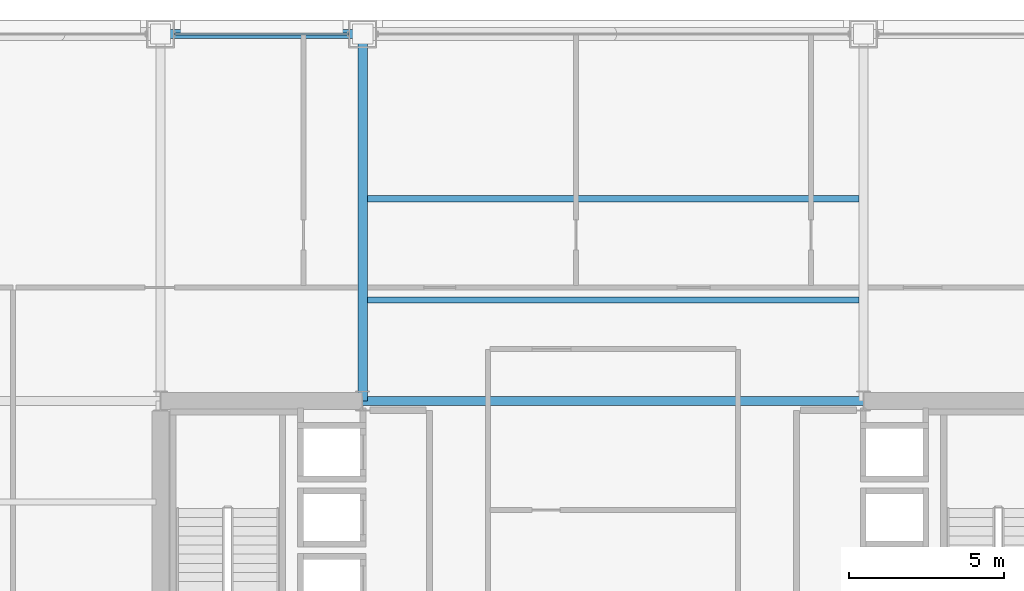
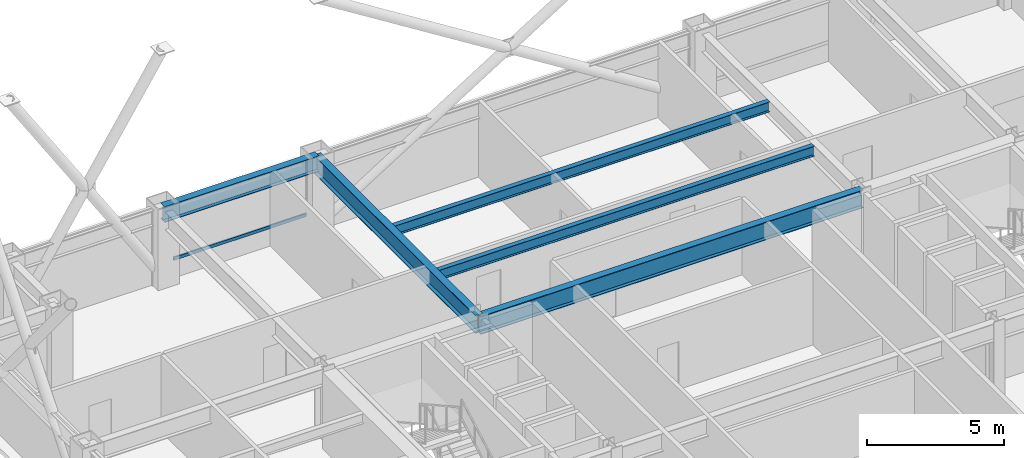
# One storey, part 18 of 29: 5 beams, 1 member, 1 element without a shape of its own.
"""IFC4 building model written with IfcOpenShell, lengths in metres."""

from ifc_helpers import new_model, si_unit, direction, frame, origin, origin_2d, place, context, subcontext, project, spatial, hollow_rectangle, i_section, extrude, material, layer, layer_set, material_profile, profile_set, type_object, element, aggregate, save


model = new_model("IFC4")

# Units and contexts
model_context = context("Model", 3, precision=1e-05, world=origin(), true_north=direction((0.0, 1.0)))
body_context = subcontext(model_context, "Body", "Model", "MODEL_VIEW")
ifc_project = project(units=[si_unit("LENGTHUNIT", "METRE"), si_unit("AREAUNIT", "SQUARE_METRE"), si_unit("VOLUMEUNIT", "CUBIC_METRE"), si_unit("PLANEANGLEUNIT", "RADIAN"), si_unit("MASSUNIT", "GRAM", prefix="KILO")], contexts=[model_context])

# Site, building, storey
site_placement = place(None, origin())
site = spatial("IfcSite", under=ifc_project, at=site_placement, CompositionType="ELEMENT")
building_placement = place(site_placement, origin())
building = spatial("IfcBuilding", under=site, at=building_placement, Name="Brelmoor Portico Tower", CompositionType="ELEMENT")
storey_placement = place(building_placement, frame((0.0, 0.0, 67.199951171875)))
storey = spatial("IfcBuildingStorey", under=building, at=storey_placement, Name="L17", CompositionType="ELEMENT", Elevation=67.199951171875)

# Beams
ifc_material_1 = material(Name="Steel Q355B", Category="steel")
ifc_material_profile_1 = material_profile(ifc_material_1, i_section(OverallWidth=0.199951171875, OverallDepth=0.449951171875, WebThickness=0.009033203125, FlangeThickness=0.013916015625, at=origin_2d()), Name="HN 450x200x9x14")
ifc_profile_set_1 = profile_set([ifc_material_profile_1], Name="Steel Q355B")
beam_type_1 = type_object("IfcBeamType", Name="BM-JS-450", PredefinedType="JOIST", material=ifc_profile_set_1)
for number, where, z_axis, x_axis, name in (
    (1, (-7.89990234375, 13.0, 3.175048828125), (1.0, 0.0, 0.0), (0.0, 1.0, 0.0), "L17 Secondary Composite Joist JS-C03"),
    (2, (-7.89990234375, 16.25, 3.175048828125), (1.0, 0.0, 0.0), (0.0, 1.0, 0.0), "L17 Secondary Composite Joist JS-C04"),
):
    element("IfcBeam", number, at=place(storey_placement, frame(where, z_axis=z_axis, x_axis=x_axis)), inside=storey, type_object=beam_type_1, Name=name, PredefinedType="JOIST", context=body_context, shape_type="SweptSolid", body=[
        extrude(i_section(OverallWidth=0.199951171875, OverallDepth=0.449951171875, WebThickness=0.009033203125, FlangeThickness=0.013916015625, at=origin_2d()), origin(), (0.0, 0.0, 1.0), 15.7998046875),
    ])
ifc_material_profile_2 = material_profile(ifc_material_1, i_section(OverallWidth=0.300048828125, OverallDepth=0.800048828125, WebThickness=0.013916015625, FlangeThickness=0.02587890625, at=origin_2d()), Name="HN 800x300x14x26")
ifc_profile_set_2 = profile_set([ifc_material_profile_2], Name="Steel Q355B")
beam_type_2 = type_object("IfcBeamType", Name="BM-PG-800", PredefinedType="BEAM", material=ifc_profile_set_2)
beam_1_placement = place(storey_placement, frame((-8.050048828125, 9.75, 3.0), z_axis=(0.0, 1.0, 0.0), x_axis=(-1.0, 0.0, 0.0)))
element("IfcBeam", 3, at=beam_1_placement, inside=storey, type_object=beam_type_2, Name="L17 Primary Floor Girder PG-08", PredefinedType="BEAM", context=body_context, shape_type="SweptSolid", body=[
    extrude(i_section(OverallWidth=0.300048828125, OverallDepth=0.800048828125, WebThickness=0.013916015625, FlangeThickness=0.02587890625, at=origin_2d()), origin(), (0.0, 0.0, 1.0), 11.800048828125),
])
beam_2_placement = place(storey_placement, frame((-8.050048828125, 9.75, 3.0), z_axis=(1.0, 0.0, 0.0), x_axis=(0.0, 1.0, 0.0)))
element("IfcBeam", 4, at=beam_2_placement, inside=storey, type_object=beam_type_2, Name="L17 Primary Floor Girder PG-29", PredefinedType="BEAM", context=body_context, shape_type="SweptSolid", body=[
    extrude(i_section(OverallWidth=0.300048828125, OverallDepth=0.800048828125, WebThickness=0.013916015625, FlangeThickness=0.02587890625, at=origin_2d()), origin(), (0.0, 0.0, 1.0), 16.10009765625),
])
ifc_material_profile_3 = material_profile(ifc_material_1, i_section(OverallWidth=0.300048828125, OverallDepth=0.699951171875, WebThickness=0.012939453125, FlangeThickness=0.02392578125, at=origin_2d()), Name="HN 700x300x13x24")
ifc_profile_set_3 = profile_set([ifc_material_profile_3], Name="Steel Q355B")
beam_type_3 = type_object("IfcBeamType", Name="BM-SP-700", PredefinedType="SPANDREL", material=ifc_profile_set_3)
beam_3_placement = place(storey_placement, frame((-14.550048828125, 21.550048828125, 3.050048828125), z_axis=(1.0, 0.0, 0.0), x_axis=(0.0, 1.0, 0.0)))
element("IfcBeam", 5, at=beam_3_placement, inside=storey, type_object=beam_type_3, Name="L17 Perimeter Spandrel Beam SP-11", PredefinedType="SPANDREL", context=body_context, shape_type="SweptSolid", body=[
    extrude(i_section(OverallWidth=0.300048828125, OverallDepth=0.699951171875, WebThickness=0.012939453125, FlangeThickness=0.02392578125, at=origin_2d()), origin(), (0.0, 0.0, 1.0), 6.5),
])

# Curtain wall, member
ifc_material_2 = material(Name="Anodised Aluminium Alloy 6063-T6", Category="aluminium")
ifc_layer = layer(ifc_material_2, 0.179931640625)
ifc_layer_set = layer_set([ifc_layer], Name="Anodised Aluminium Alloy 6063-T6")
curtain_wall_type = type_object("IfcCurtainWallType", Name="CW-TOWER-Z1", PredefinedType="NOTDEFINED", material=ifc_layer_set)
curtain_wall_placement = place(storey_placement, origin())
curtain_wall = element("IfcCurtainWall", 6, at=curtain_wall_placement, inside=storey, type_object=curtain_wall_type, Name="L17 Curtain Wall CW-L17-02-2", PredefinedType="NOTDEFINED")
ifc_material_profile_4 = material_profile(ifc_material_2, hollow_rectangle(XDim=0.06494140625, YDim=0.139892578125, WallThickness=0.00390625, at=origin_2d()), Name="ALU TRANSOM 65x140")
ifc_profile_set_4 = profile_set([ifc_material_profile_4], Name="Anodised Aluminium Alloy 6063-T6")
member_type = type_object("IfcMemberType", Name="MB-CW-TRAN-140", PredefinedType="USERDEFINED", material=ifc_profile_set_4)
member_placement = place(storey_placement, frame((-14.090087890625, 21.550048828125, 0.85009765625), z_axis=(1.0, 0.0, 0.0), x_axis=(0.0, 1.0, 0.0)))
member = element("IfcMember", 7, at=member_placement, type_object=member_type, Name="CW-L17-02-2 Transom 1-00", ObjectType="TRANSOM", PredefinedType="USERDEFINED", context=body_context, shape_type="SweptSolid", body=[
    extrude(hollow_rectangle(XDim=0.06494140625, YDim=0.139892578125, WallThickness=0.00390625, at=origin_2d()), origin(), (0.0, 0.0, 1.0), 5.580078125),
])
aggregate(curtain_wall, [member])

save(model, "model.ifc")
